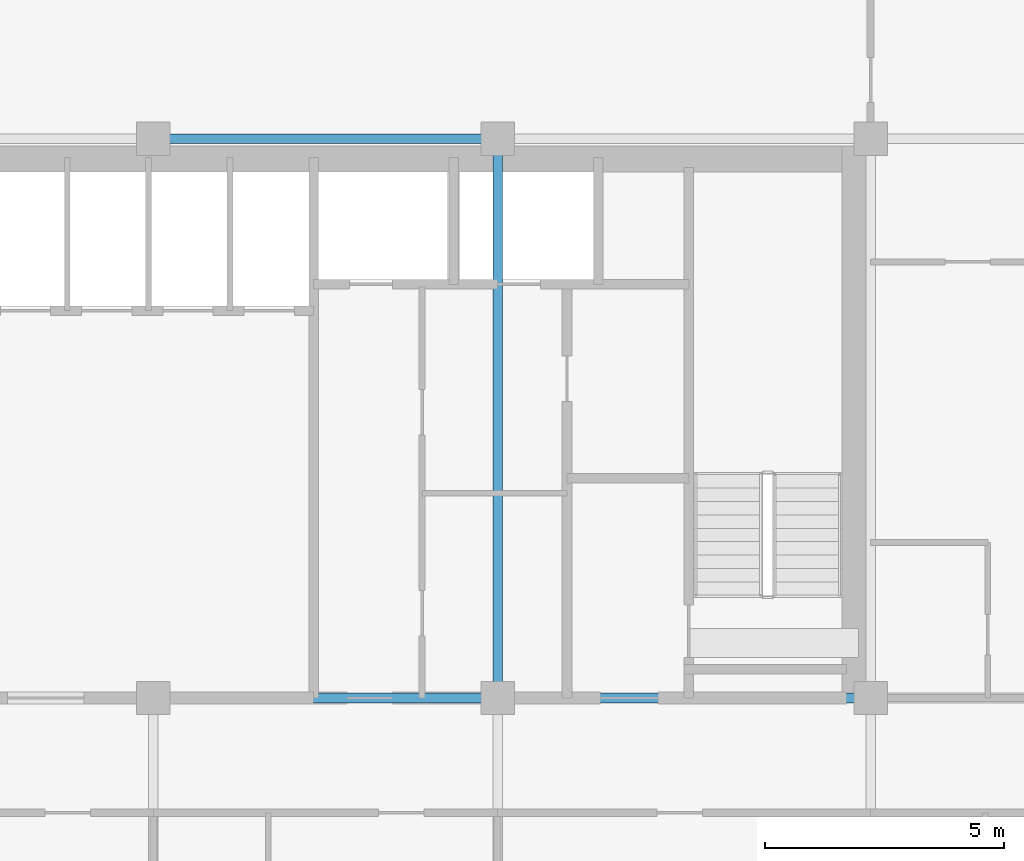
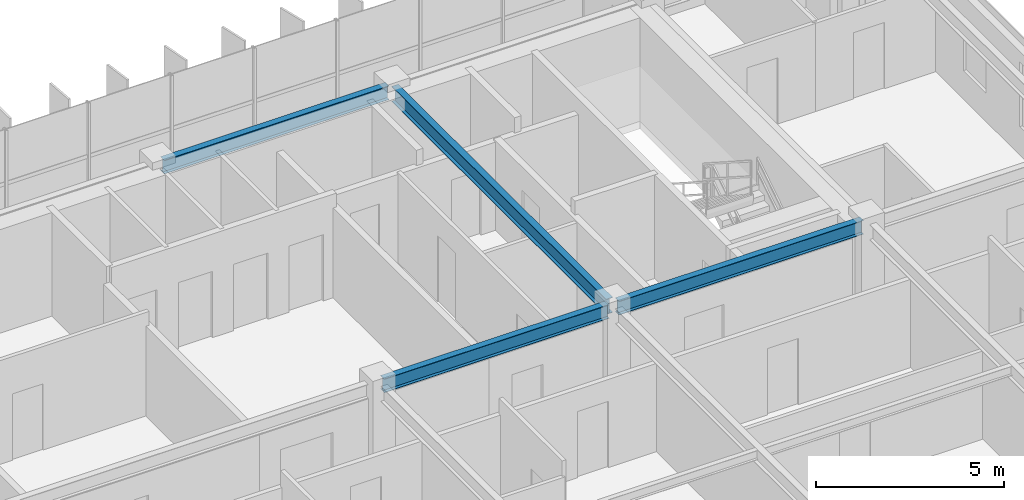
# One storey, part 10 of 23: 4 beams.
"""IFC4 building model written with IfcOpenShell, lengths in metres."""

from ifc_helpers import new_model, si_unit, direction, frame, origin, origin_2d, place, context, subcontext, project, spatial, i_section, extrude, source, transform, mapped, material, material_profile, profile_set, type_object, element, save


model = new_model("IFC4")

# Units and contexts
model_context = context("Model", 3, precision=1e-05, world=origin(), true_north=direction((0.0, 1.0)))
body_context = subcontext(model_context, "Body", "Model", "MODEL_VIEW")
ifc_project = project(units=[si_unit("LENGTHUNIT", "METRE"), si_unit("AREAUNIT", "SQUARE_METRE"), si_unit("VOLUMEUNIT", "CUBIC_METRE"), si_unit("PLANEANGLEUNIT", "RADIAN"), si_unit("MASSUNIT", "GRAM", prefix="KILO")], contexts=[model_context])

# Site, building, storey
site_placement = place(None, origin())
site = spatial("IfcSite", under=ifc_project, at=site_placement, CompositionType="ELEMENT")
building_placement = place(site_placement, origin())
building = spatial("IfcBuilding", under=site, at=building_placement, Name="Trelvane Seafront Commons", CompositionType="ELEMENT")
storey_placement = place(building_placement, frame((0.0, 0.0, 226.5)))
storey = spatial("IfcBuildingStorey", under=building, at=storey_placement, Name="L59", CompositionType="ELEMENT", Elevation=226.5)

# Beams
ifc_material = material(Name="Steel SM355 (S355)", Category="steel")
ifc_material_profile_1 = material_profile(ifc_material, i_section(OverallWidth=0.199951171875, OverallDepth=0.5, WebThickness=0.010009765625, FlangeThickness=0.01611328125, at=origin_2d()), Name="H-500x200x10x16")
ifc_profile_set_1 = profile_set([ifc_material_profile_1], Name="Steel SM355 (S355)")
beam_type_1 = type_object("IfcBeamType", Name="STR-BM-H500", PredefinedType="BEAM", material=ifc_profile_set_1)
shared_shape_1 = source(origin(), body_context, "Body", "SweptSolid", [
    extrude(i_section(OverallWidth=0.199951171875, OverallDepth=0.5, WebThickness=0.010009765625, FlangeThickness=0.01611328125, at=origin_2d()), origin(), (0.0, 0.0, 1.0), 11.39990234375),
])
beam_1_placement = place(storey_placement, frame((51.0, 33.550048828125, 3.110107421875), z_axis=(0.0, 1.0, 0.0), x_axis=(-1.0, 0.0, 0.0)))
element("IfcBeam", 1, at=beam_1_placement, inside=storey, type_object=beam_type_1, Name="L59 Primary Girder G-46", PredefinedType="BEAM", context=body_context, shape_type="MappedRepresentation", body=[
    mapped(shared_shape_1, transform((0.0, 0.0, 0.0), x_axis=(1.0, 0.0, 0.0), y_axis=(0.0, 1.0, 0.0), z_axis=(0.0, 0.0, 1.0), scale=1.0)),
])
ifc_material_profile_2 = material_profile(ifc_material, i_section(OverallWidth=0.199951171875, OverallDepth=0.449951171875, WebThickness=0.009033203125, FlangeThickness=0.013916015625, at=origin_2d()), Name="H-450x200x9x14")
ifc_profile_set_2 = profile_set([ifc_material_profile_2], Name="Steel SM355 (S355)")
beam_type_2 = type_object("IfcBeamType", Name="STR-SPD-H450", PredefinedType="SPANDREL", material=ifc_profile_set_2)
shared_shape_2 = source(origin(), body_context, "Body", "SweptSolid", [
    extrude(i_section(OverallWidth=0.199951171875, OverallDepth=0.449951171875, WebThickness=0.009033203125, FlangeThickness=0.013916015625, at=origin_2d()), origin(), (0.0, 0.0, 1.0), 7.5),
])
beam_2_placement = place(storey_placement, frame((51.14990234375, 33.39990234375, 3.135009765625), z_axis=(1.0, 0.0, 0.0), x_axis=(0.0, 1.0, 0.0)))
element("IfcBeam", 2, at=beam_2_placement, inside=storey, type_object=beam_type_2, Name="L59 Primary Girder G-20", PredefinedType="SPANDREL", context=body_context, shape_type="MappedRepresentation", body=[
    mapped(shared_shape_2, transform((0.0, 0.0, 0.0), x_axis=(1.0, 0.0, 0.0), y_axis=(0.0, 1.0, 0.0), z_axis=(0.0, 0.0, 1.0), scale=1.0)),
])
shared_shape_3 = source(origin(), body_context, "Body", "SweptSolid", [
    extrude(i_section(OverallWidth=0.199951171875, OverallDepth=0.449951171875, WebThickness=0.009033203125, FlangeThickness=0.013916015625, at=origin_2d()), origin(), (0.0, 0.0, 1.0), 6.900146484375),
])
for number, where, z_axis, x_axis, name in (
    (3, (43.949951171875, 33.39990234375, 3.135009765625), (1.0, 0.0, 0.0), (0.0, 1.0, 0.0), "L59 Primary Girder G-19"),
    (4, (43.949951171875, 45.10009765625, 3.135009765625), (1.0, 0.0, 0.0), (0.0, 1.0, 0.0), "L59 Primary Girder G-26"),
):
    element("IfcBeam", number, at=place(storey_placement, frame(where, z_axis=z_axis, x_axis=x_axis)), inside=storey, type_object=beam_type_2, Name=name, PredefinedType="SPANDREL", context=body_context, shape_type="MappedRepresentation", body=[
        mapped(shared_shape_3, transform((0.0, 0.0, 0.0), x_axis=(1.0, 0.0, 0.0), y_axis=(0.0, 1.0, 0.0), z_axis=(0.0, 0.0, 1.0), scale=1.0)),
    ])

save(model, "model.ifc")
